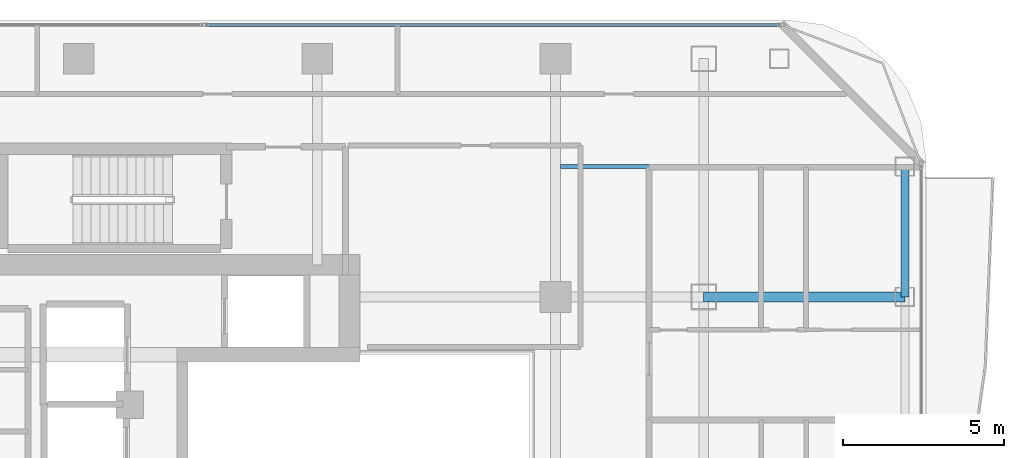
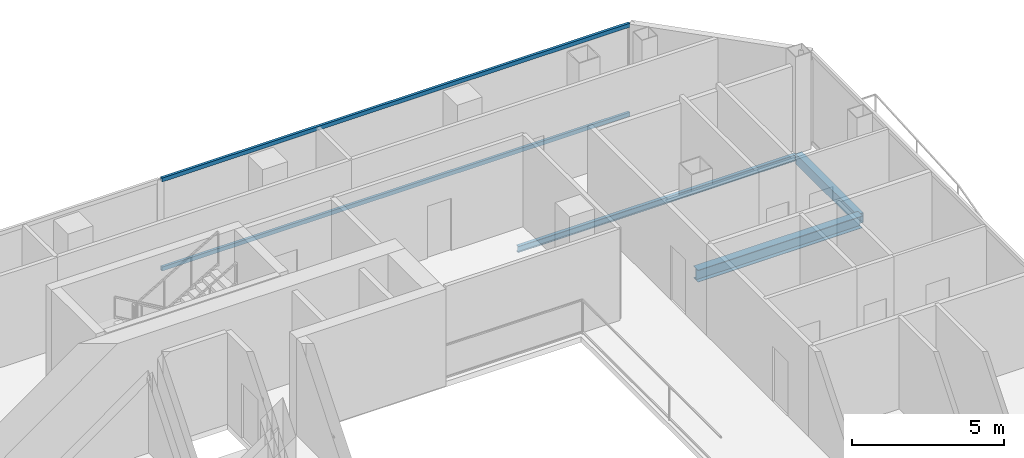
# One storey, part 16 of 27: 3 beams, 2 members, 1 element without a shape of its own.
"""IFC4 building model written with IfcOpenShell, lengths in metres."""

import ifcopenshell
import ifcopenshell.guid

model = None  # the IFC model being written
_history = None  # IfcOwnerHistory: only IFC2X3 demands one
_inside = {}  # id of a spatial element -> (the spatial element, [elements in it])
_under = {}  # id of a project, library or spatial element -> (it, [spatial elements below it])
_declared = {}  # id of a project -> (the project, [libraries it declares])
_typed = {}  # id of a type object -> (the type object, [elements of that type])
_made_of = {}  # id of a material, layer set ... -> (it, [elements and type objects made of it])


def new_model(schema):
    """Start an empty IFC model of exactly this schema.

    Asked for "IFC4X3", IfcOpenShell would pick the latest addendum, in which some entities
    have other attributes; the version numbers below select the first issue.
    IFC2X3 requires an IfcOwnerHistory on every rooted entity: one is made here for all.
    """
    global model, _history
    if schema == "IFC4X3":
        model = ifcopenshell.file(schema_version=(4, 3, 0, 0))
    else:
        model = ifcopenshell.file(schema=schema)
    _inside.clear()
    _under.clear()
    _declared.clear()
    _typed.clear()
    _made_of.clear()
    _history = None
    if model.schema == "IFC2X3":
        org = make("IfcOrganization", Name="unknown")
        user = make(
            "IfcPersonAndOrganization",
            ThePerson=make("IfcPerson", FamilyName="unknown"),
            TheOrganization=org,
        )
        app = make(
            "IfcApplication",
            ApplicationDeveloper=org,
            Version="unknown",
            ApplicationFullName="unknown",
            ApplicationIdentifier="unknown",
        )
        _history = make(
            "IfcOwnerHistory",
            OwningUser=user,
            OwningApplication=app,
            ChangeAction="ADDED",
            CreationDate=0,
        )
    return model


def make(cls, **values):
    """One entity of the class cls with the attributes given. An attribute that is None is left unset."""
    return model.create_entity(
        cls, **{name: value for name, value in values.items() if value is not None}
    )


def rooted(cls, **values):
    """An entity with a GlobalId (a new one), such as an element, a storey or a relation."""
    return make(cls, GlobalId=ifcopenshell.guid.new(), OwnerHistory=_history, **values)


def si_unit(unit_type, name, prefix=None):
    """IfcSIUnit, for example si_unit("LENGTHUNIT", "METRE", prefix="MILLI")."""
    return make("IfcSIUnit", UnitType=unit_type, Prefix=prefix, Name=name)


def assignment(units):
    """IfcUnitAssignment: the units of a project."""
    return None if units is None else make("IfcUnitAssignment", Units=units)


def point(xyz):
    """IfcCartesianPoint."""
    return None if xyz is None else make("IfcCartesianPoint", Coordinates=xyz)


def direction(xyz):
    """IfcDirection."""
    return None if xyz is None else make("IfcDirection", DirectionRatios=xyz)


def frame(location, z_axis=None, x_axis=None):
    """IfcAxis2Placement3D, a coordinate frame: its origin and axes. An axis left out is left unset."""
    return make(
        "IfcAxis2Placement3D",
        Location=point(location),
        Axis=direction(z_axis),
        RefDirection=direction(x_axis),
    )


def frame_2d(location, x_axis=None):
    """IfcAxis2Placement2D, a coordinate frame in the plane: its origin and x axis."""
    return make(
        "IfcAxis2Placement2D", Location=point(location), RefDirection=direction(x_axis)
    )


def origin():
    """The frame at (0, 0, 0) with its axes left unset."""
    return frame((0.0, 0.0, 0.0))


def origin_2d():
    """The frame at (0, 0) in the plane with its x axis left unset."""
    return frame_2d((0.0, 0.0))


def place(relative_to, where):
    """IfcLocalPlacement: puts the frame where relative to a parent placement (None: the world)."""
    return make(
        "IfcLocalPlacement", PlacementRelTo=relative_to, RelativePlacement=where
    )


def context(
    kind, dimensions, precision=None, world=None, true_north=None, identifier=None
):
    """IfcGeometricRepresentationContext, for example the 3D "Model" context."""
    return make(
        "IfcGeometricRepresentationContext",
        ContextIdentifier=identifier,
        ContextType=kind,
        CoordinateSpaceDimension=dimensions,
        Precision=precision,
        WorldCoordinateSystem=world,
        TrueNorth=true_north,
    )


def subcontext(parent, identifier, kind, view, scale=None):
    """IfcGeometricRepresentationSubContext, for example "Body" below "Model"."""
    return make(
        "IfcGeometricRepresentationSubContext",
        ContextIdentifier=identifier,
        ContextType=kind,
        ParentContext=parent,
        TargetScale=scale,
        TargetView=view,
    )


def project(units=None, contexts=None):
    """IfcProject with its units and contexts."""
    return rooted(
        "IfcProject",
        Name="project",
        RepresentationContexts=contexts,
        UnitsInContext=assignment(units),
    )


def spatial(cls, under=None, at=None, **own):
    """A site, building, storey or space (cls), placed at a placement, below another one or the project."""
    s = rooted(cls, ObjectPlacement=at, **own)
    if under is not None:
        _under.setdefault(under.id(), (under, []))[1].append(s)
    return s


def profile(cls, at=None, kind="AREA", **sizes):
    """A parametric profile (cls). Its sizes go by their IFC names, for example OverallWidth=200.0."""
    return make(cls, ProfileType=kind, Position=at, **sizes)


def hollow_rectangle(**sizes):
    """IfcRectangleHollowProfileDef."""
    return profile("IfcRectangleHollowProfileDef", **sizes)


def i_section(**sizes):
    """IfcIShapeProfileDef."""
    return profile("IfcIShapeProfileDef", **sizes)


def extrude(swept, where, along, depth):
    """IfcExtrudedAreaSolid: the profile swept, set in the frame where, extruded along a direction by depth."""
    return make(
        "IfcExtrudedAreaSolid",
        SweptArea=swept,
        Position=where,
        ExtrudedDirection=direction(along),
        Depth=depth,
    )


def shape(context_of_items, identifier, shape_type, items):
    """IfcShapeRepresentation: the items that make up one representation, for example the "Body"."""
    return make(
        "IfcShapeRepresentation",
        ContextOfItems=context_of_items,
        RepresentationIdentifier=identifier,
        RepresentationType=shape_type,
        Items=items,
    )


def material(Name=None, Category=None):
    """IfcMaterial."""
    return make("IfcMaterial", Name=Name, Category=Category)


def layer(
    of_material, thickness, ventilated=None, Name=None, Category=None, Priority=None
):
    """IfcMaterialLayer: one layer of a wall or slab, of a material (None: an air gap)."""
    return make(
        "IfcMaterialLayer",
        Material=of_material,
        LayerThickness=thickness,
        IsVentilated=ventilated,
        Name=Name,
        Category=Category,
        Priority=Priority,
    )


def layer_set(layers, Name=None):
    """IfcMaterialLayerSet."""
    return make("IfcMaterialLayerSet", MaterialLayers=layers, LayerSetName=Name)


def material_profile(
    of_material, cross_section, Name=None, Category=None, Priority=None
):
    """IfcMaterialProfile: a cross section and its material."""
    return make(
        "IfcMaterialProfile",
        Name=Name,
        Material=of_material,
        Profile=cross_section,
        Priority=Priority,
        Category=Category,
    )


def profile_set(profiles, Name=None, composite=None):
    """IfcMaterialProfileSet."""
    return make(
        "IfcMaterialProfileSet",
        Name=Name,
        MaterialProfiles=profiles,
        CompositeProfile=composite,
    )


def made_of(thing, what):
    """Note that an element or type object is made of a material, layer set ...; save() writes the relation."""
    if what is not None:
        _made_of.setdefault(what.id(), (what, []))[1].append(thing)
    return thing


def type_object(cls, material=None, **own):
    """A type object (cls), such as IfcWallType, which elements share."""
    return made_of(rooted(cls, **own), material)


def element(
    cls,
    number,
    at=None,
    inside=None,
    cuts=None,
    type_object=None,
    material=None,
    context=None,
    identifier="Body",
    shape_type=None,
    held_by="IfcProductDefinitionShape",
    body=None,
    shapes=None,
    **own,
):
    """One element of the class cls, such as IfcWall. Its Tag is "e" and its number.

    at: its placement. inside: the storey or other place that contains it. cuts: it is an
    opening in that element (IfcRelVoidsElement). A single representation is given by context,
    identifier, shape_type and body (its items); several are given by shapes. held_by: the class
    of the entity that holds the representations. save() writes the other relations.
    """
    e = rooted(cls, Tag="e%d" % number, ObjectPlacement=at, **own)
    if body is not None:
        shapes = [shape(context, identifier, shape_type, body)]
    if shapes is not None:
        e.Representation = make(held_by, Representations=shapes)
    if inside is not None:
        _inside.setdefault(inside.id(), (inside, []))[1].append(e)
    if cuts is not None:
        rooted(
            "IfcRelVoidsElement", RelatingBuildingElement=cuts, RelatedOpeningElement=e
        )
    if type_object is not None:
        _typed.setdefault(type_object.id(), (type_object, []))[1].append(e)
    return made_of(e, material)


def aggregate(whole, parts):
    """IfcRelAggregates: a whole, such as a stair, and the parts it consists of."""
    return rooted("IfcRelAggregates", RelatingObject=whole, RelatedObjects=parts)


def save(model, path):
    """Write the relations noted so far, then the file.

    IfcRelAggregates (storeys below a building ...), IfcRelContainedInSpatialStructure (elements
    in a storey), IfcRelDefinesByType, IfcRelAssociatesMaterial and IfcRelDeclares: one each for
    every whole, place, type object, material and project.
    """
    for whole, parts in _under.values():
        aggregate(whole, parts)
    for where, things in _inside.values():
        rooted(
            "IfcRelContainedInSpatialStructure",
            RelatedElements=things,
            RelatingStructure=where,
        )
    for kind, things in _typed.values():
        rooted("IfcRelDefinesByType", RelatedObjects=things, RelatingType=kind)
    for what, things in _made_of.values():
        rooted("IfcRelAssociatesMaterial", RelatedObjects=things, RelatingMaterial=what)
    for by, libraries in _declared.values():
        rooted("IfcRelDeclares", RelatingContext=by, RelatedDefinitions=libraries)
    model.write(path)


model = new_model("IFC4")

# Units and contexts
model_context = context("Model", 3, precision=1e-05, world=origin(), true_north=direction((0.0, 1.0)))
body_context = subcontext(model_context, "Body", "Model", "MODEL_VIEW")
ifc_project = project(units=[si_unit("LENGTHUNIT", "METRE"), si_unit("AREAUNIT", "SQUARE_METRE"), si_unit("VOLUMEUNIT", "CUBIC_METRE"), si_unit("PLANEANGLEUNIT", "RADIAN"), si_unit("MASSUNIT", "GRAM", prefix="KILO")], contexts=[model_context])

# Site, building, storey
site_placement = place(None, origin())
site = spatial("IfcSite", under=ifc_project, at=site_placement, CompositionType="ELEMENT")
building_placement = place(site_placement, origin())
building = spatial("IfcBuilding", under=site, at=building_placement, Name="Khorvyn Point Tower", CompositionType="ELEMENT")
storey_placement = place(building_placement, frame((0.0, 0.0, 246.89990234375)))
storey = spatial("IfcBuildingStorey", under=building, at=storey_placement, Name="L60", CompositionType="ELEMENT", Elevation=246.89990234375)

# Curtain wall, members
ifc_material_1 = material(Name="Anodised aluminium 6063-T6 and laminated Low-E glass", Category="aluminium")
ifc_layer = layer(ifc_material_1, 0.18994140625)
ifc_layer_set = layer_set([ifc_layer], Name="Stick-Built Acoustic Curtain Wall CW-SYS-03")
curtain_wall_type = type_object("IfcCurtainWallType", Name="Stick-Built Acoustic Curtain Wall CW-SYS-03", PredefinedType="NOTDEFINED", material=ifc_layer_set)
curtain_wall_placement = place(storey_placement, origin())
curtain_wall = element("IfcCurtainWall", 1, at=curtain_wall_placement, inside=storey, type_object=curtain_wall_type, Name="Curtain Wall", PredefinedType="NOTDEFINED")
ifc_material_2 = material(Name="Anodised aluminium 6063-T6", Category="aluminium")
ifc_material_profile_1 = material_profile(ifc_material_2, hollow_rectangle(XDim=0.10009765625, YDim=0.159912109375, WallThickness=0.00439453125, at=origin_2d()))
ifc_profile_set_1 = profile_set([ifc_material_profile_1], Name="Anodised aluminium 6063-T6 ALU-TRN-100x160")
member_type = type_object("IfcMemberType", Name="Anodised Aluminium 6063-T6 Transom ALU-TRN-100x160", PredefinedType="USERDEFINED", material=ifc_profile_set_1)
member_1_placement = place(storey_placement, frame((3.949951171875, 15.85009765625, 0.050048828125), z_axis=(1.0, 0.0, 0.0), x_axis=(0.0, 1.0, 0.0)))
member_1 = element("IfcMember", 2, at=member_1_placement, type_object=member_type, Name="Transom", ObjectType="TRANSOM", PredefinedType="USERDEFINED", context=body_context, shape_type="SweptSolid", body=[
    extrude(hollow_rectangle(XDim=0.10009765625, YDim=0.159912109375, WallThickness=0.00439453125, at=origin_2d()), origin(), (0.0, 0.0, 1.0), 17.800048828125),
])
member_2_placement = place(storey_placement, frame((3.949951171875, 15.85009765625, 3.630126953125), z_axis=(1.0, 0.0, 0.0), x_axis=(0.0, 1.0, 0.0)))
member_2 = element("IfcMember", 3, at=member_2_placement, type_object=member_type, Name="Transom", ObjectType="TRANSOM", PredefinedType="USERDEFINED", context=body_context, shape_type="SweptSolid", body=[
    extrude(hollow_rectangle(XDim=0.10009765625, YDim=0.159912109375, WallThickness=0.00439453125, at=origin_2d()), origin(), (0.0, 0.0, 1.0), 17.800048828125),
])
aggregate(curtain_wall, [member_1, member_2])

# Beams
ifc_material_3 = material(Name="Steel S355", Category="steel")
ifc_material_profile_2 = material_profile(ifc_material_3, i_section(OverallWidth=0.125, OverallDepth=0.25, WebThickness=0.006103515625, FlangeThickness=0.009033203125, at=origin_2d()))
ifc_profile_set_2 = profile_set([ifc_material_profile_2], Name="Steel S355 H250x125x6x9")
beam_type_1 = type_object("IfcBeamType", Name="Steel S355 Joist H250x125x6x9", PredefinedType="JOIST", material=ifc_profile_set_2)
beam_1_placement = place(storey_placement, frame((14.949951171875, 11.449951171875, -0.344970703125), z_axis=(1.0, 0.0, 0.0), x_axis=(0.0, 1.0, 0.0)))
element("IfcBeam", 4, at=beam_1_placement, inside=storey, type_object=beam_type_1, Name="Beam", PredefinedType="JOIST", context=body_context, shape_type="SweptSolid", body=[
    extrude(i_section(OverallWidth=0.125, OverallDepth=0.25, WebThickness=0.006103515625, FlangeThickness=0.009033203125, at=origin_2d()), origin(), (0.0, 0.0, 1.0), 10.574951171875),
])
ifc_material_profile_3 = material_profile(ifc_material_3, i_section(OverallWidth=0.300048828125, OverallDepth=0.488037109375, WebThickness=0.010986328125, FlangeThickness=0.01806640625, at=origin_2d()))
ifc_profile_set_3 = profile_set([ifc_material_profile_3], Name="Steel S355 H488x300x11x18")
beam_type_2 = type_object("IfcBeamType", Name="Steel S355 Spandrel H488x300x11x18", PredefinedType="SPANDREL", material=ifc_profile_set_3)
beam_2_placement = place(storey_placement, frame((19.39990234375, 7.39990234375, -0.4638671875), z_axis=(1.0, 0.0, 0.0), x_axis=(0.0, 1.0, 0.0)))
element("IfcBeam", 5, at=beam_2_placement, inside=storey, type_object=beam_type_2, Name="Beam", PredefinedType="SPANDREL", context=body_context, shape_type="SweptSolid", body=[
    extrude(i_section(OverallWidth=0.300048828125, OverallDepth=0.488037109375, WebThickness=0.010986328125, FlangeThickness=0.01806640625, at=origin_2d()), origin(), (0.0, 0.0, 1.0), 6.25),
])
ifc_material_profile_4 = material_profile(ifc_material_3, hollow_rectangle(XDim=0.25, YDim=0.39990234375, WallThickness=0.01611328125, at=origin_2d()))
ifc_profile_set_4 = profile_set([ifc_material_profile_4], Name="Steel S355 RHS400x250x16")
beam_type_3 = type_object("IfcBeamType", Name="Steel S355 Spandrel RHS400x250x16", PredefinedType="SPANDREL", material=ifc_profile_set_4)
beam_3_placement = place(storey_placement, frame((25.64990234375, 7.39990234375, -0.419921875), z_axis=(0.0, 1.0, 0.0), x_axis=(-1.0, 0.0, 0.0)))
element("IfcBeam", 6, at=beam_3_placement, inside=storey, type_object=beam_type_3, Name="Beam", PredefinedType="SPANDREL", context=body_context, shape_type="SweptSolid", body=[
    extrude(hollow_rectangle(XDim=0.25, YDim=0.39990234375, WallThickness=0.01611328125, at=origin_2d()), origin(), (0.0, 0.0, 1.0), 4.050048828125),
])

save(model, "model.ifc")
